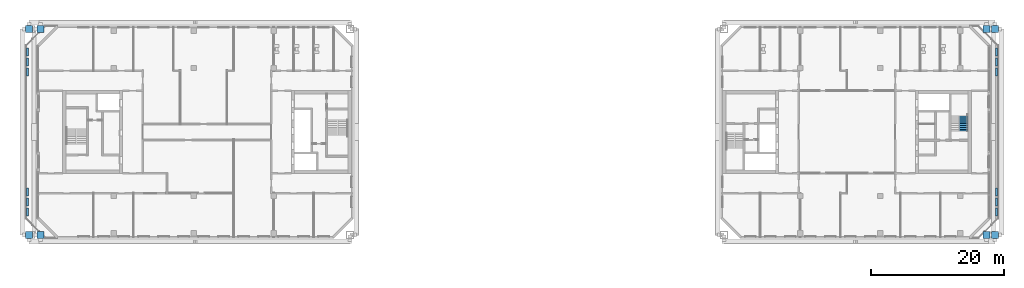
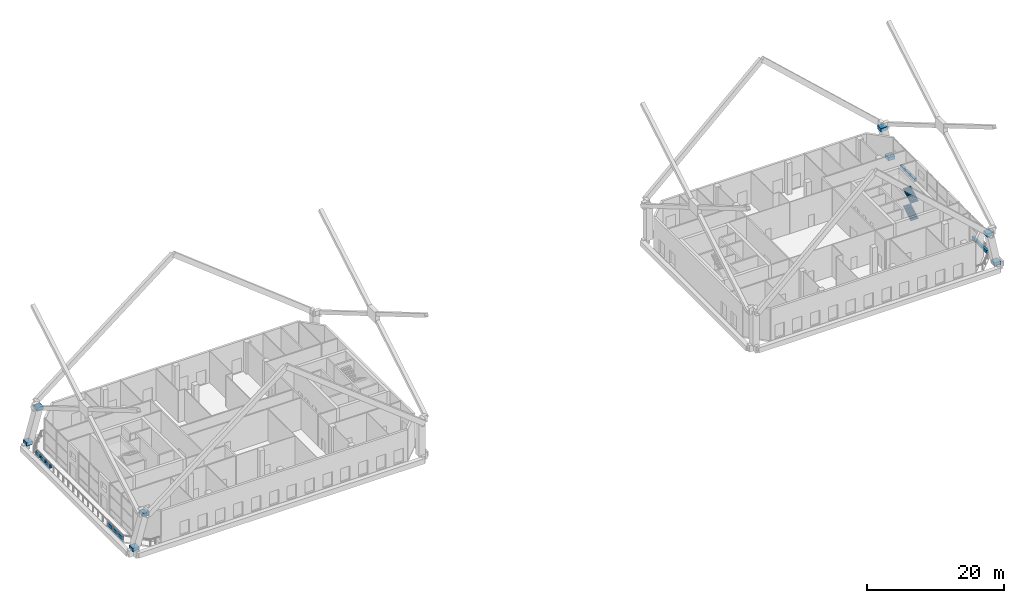
# One storey, part 17 of 20: 20 discrete accessories, 2 stair flights, 1 element without a shape of its own.
"""IFC4 building model written with IfcOpenShell, lengths in metres."""

from ifc_helpers import new_model, si_unit, direction, frame, origin, origin_2d, place, context, subcontext, project, spatial, polyline, rectangle, outline, extrude, material, type_object, element, aggregate, save


model = new_model("IFC4")

# Units and contexts
model_context = context("Model", 3, precision=1e-05, world=origin(), true_north=direction((0.0, 1.0)))
body_context = subcontext(model_context, "Body", "Model", "MODEL_VIEW")
ifc_project = project(units=[si_unit("LENGTHUNIT", "METRE"), si_unit("AREAUNIT", "SQUARE_METRE"), si_unit("VOLUMEUNIT", "CUBIC_METRE"), si_unit("PLANEANGLEUNIT", "RADIAN"), si_unit("MASSUNIT", "GRAM", prefix="KILO")], contexts=[model_context])

# Site, building, storey
site_placement = place(None, origin())
site = spatial("IfcSite", under=ifc_project, at=site_placement, CompositionType="ELEMENT")
building_placement = place(site_placement, origin())
building = spatial("IfcBuilding", under=site, at=building_placement, Name="Tuart Gate Housing", CompositionType="ELEMENT")
storey_placement = place(building_placement, frame((0.0, 0.0, 142.300048828125)))
storey = spatial("IfcBuildingStorey", under=building, at=storey_placement, Name="L40", CompositionType="ELEMENT", Elevation=142.300048828125)

# Stair, stair flights
ifc_material_1 = material(Name="Concrete C40", Category="concrete")
stair_type = type_object("IfcStairType", Name="Core stair 1250", PredefinedType="HALF_TURN_STAIR", material=ifc_material_1)
stair_placement = place(storey_placement, origin())
stair = element("IfcStair", 1, at=stair_placement, inside=storey, type_object=stair_type, Name="Stair SB2", PredefinedType="HALF_TURN_STAIR")
ifc_material_2 = material(Name="Concrete C40", Category="concrete")
stair_flight_type = type_object("IfcStairFlightType", Name="Stair flight 1250, 9 risers 172 x 280", PredefinedType="STRAIGHT", material=ifc_material_2)
stair_flight_1_placement = place(storey_placement, frame((167.514892578125, 70.125, 0.0), z_axis=(0.0, 0.0, 1.0), x_axis=(0.0, 1.0, 0.0)))
stair_flight_1 = element("IfcStairFlight", 2, at=stair_flight_1_placement, type_object=stair_flight_type, Name="SB2 flight 1", NumberOfRisers=9, NumberOfTreads=8, PredefinedType="STRAIGHT", RiserHeight=0.172222222, TreadLength=0.28, context=body_context, shape_type="SweptSolid", body=[
    extrude(outline(polyline([(0.0, 0.0), (0.0, 0.172119140625), (0.280029296875, 0.172119140625), (0.280029296875, 0.344482421875), (0.56005859375, 0.344482421875), (0.56005859375, 0.5166015625), (0.840087890625, 0.5166015625), (0.840087890625, 0.68896484375), (1.1201171875, 0.68896484375), (1.1201171875, 0.861083984375), (1.39990234375, 0.861083984375), (1.39990234375, 1.033447265625), (1.679931640625, 1.033447265625), (1.679931640625, 1.20556640625), (1.9599609375, 1.20556640625), (1.9599609375, 1.377685546875), (2.239990234375, 1.377685546875), (2.239990234375, 1.550048828125), (2.239990234375, 1.201904296875), (0.2861328125, 0.0), (0.0, 0.0)])), frame((0.0, 0.625, 0.0), z_axis=(0.0, -1.0, 0.0), x_axis=(1.0, 0.0, 0.0)), (0.0, 0.0, 1.0), 1.25),
])
stair_flight_2_placement = place(storey_placement, frame((167.514892578125, 70.125, 3.099853515625), z_axis=(0.0, 0.0, 1.0), x_axis=(0.0, 1.0, 0.0)))
stair_flight_2 = element("IfcStairFlight", 3, at=stair_flight_2_placement, type_object=stair_flight_type, Name="SB2 flight 3", NumberOfRisers=9, NumberOfTreads=8, PredefinedType="STRAIGHT", RiserHeight=0.172222222, TreadLength=0.28, context=body_context, shape_type="SweptSolid", body=[
    extrude(outline(polyline([(0.0, 0.0), (0.0, 0.172119140625), (0.280029296875, 0.172119140625), (0.280029296875, 0.344482421875), (0.56005859375, 0.344482421875), (0.56005859375, 0.5166015625), (0.840087890625, 0.5166015625), (0.840087890625, 0.68896484375), (1.1201171875, 0.68896484375), (1.1201171875, 0.861083984375), (1.39990234375, 0.861083984375), (1.39990234375, 1.033447265625), (1.679931640625, 1.033447265625), (1.679931640625, 1.20556640625), (1.9599609375, 1.20556640625), (1.9599609375, 1.377685546875), (2.239990234375, 1.377685546875), (2.239990234375, 1.550048828125), (2.239990234375, 1.201904296875), (0.2861328125, 0.0), (0.0, 0.0)])), frame((0.0, 0.625, 0.0), z_axis=(0.0, -1.0, 0.0), x_axis=(1.0, 0.0, 0.0)), (0.0, 0.0, 1.0), 1.25),
])
aggregate(stair, [stair_flight_1, stair_flight_2])

# Discrete accessories
ifc_material_3 = material(Name="Brick planter with soil", Category="masonry")
discrete_accessory_type = type_object("IfcDiscreteAccessoryType", Name="PLANTER", PredefinedType="USERDEFINED", material=ifc_material_3)
for number, where, z_axis, x_axis, name in (
    (4, (27.074951171875, 58.0, 0.0), (0.0, 0.0, 1.0), (1.0, 0.0, 0.0), "PLANTER"),
    (5, (27.074951171875, 59.5, 0.0), (0.0, 0.0, 1.0), (1.0, 0.0, 0.0), "PLANTER"),
    (6, (27.074951171875, 61.0, 0.0), (0.0, 0.0, 1.0), (1.0, 0.0, 0.0), "PLANTER"),
    (7, (27.074951171875, 79.0, 0.0), (0.0, 0.0, 1.0), (1.0, 0.0, 0.0), "PLANTER"),
    (8, (27.074951171875, 80.5, 0.0), (0.0, 0.0, 1.0), (1.0, 0.0, 0.0), "PLANTER"),
    (9, (27.074951171875, 82.0, 0.0), (0.0, 0.0, 1.0), (1.0, 0.0, 0.0), "PLANTER"),
    (10, (172.425048828125, 58.0, 0.0), (0.0, 0.0, 1.0), (1.0, 0.0, 0.0), "PLANTER"),
    (11, (172.425048828125, 59.5, 0.0), (0.0, 0.0, 1.0), (1.0, 0.0, 0.0), "PLANTER"),
    (12, (172.425048828125, 61.0, 0.0), (0.0, 0.0, 1.0), (1.0, 0.0, 0.0), "PLANTER"),
    (13, (172.425048828125, 79.0, 0.0), (0.0, 0.0, 1.0), (1.0, 0.0, 0.0), "PLANTER"),
    (14, (172.425048828125, 80.5, 0.0), (0.0, 0.0, 1.0), (1.0, 0.0, 0.0), "PLANTER"),
    (15, (172.425048828125, 82.0, 0.0), (0.0, 0.0, 1.0), (1.0, 0.0, 0.0), "PLANTER"),
):
    element("IfcDiscreteAccessory", number, at=place(storey_placement, frame(where, z_axis=z_axis, x_axis=x_axis)), inside=storey, type_object=discrete_accessory_type, Name=name, ObjectType="PLANTER", PredefinedType="USERDEFINED", context=body_context, shape_type="SweptSolid", body=[
        extrude(rectangle(XDim=0.35009765625, YDim=1.199951171875, at=origin_2d()), origin(), (0.0, 0.0, 1.0), 0.60009765625),
    ])
for number, where, z_axis, x_axis, name in (
    (16, (27.300048828125, 54.550048828125, 0.0), (0.0, 0.0, 1.0), (1.0, 0.0, 0.0), "Mega column node A south-west foot L40"),
    (17, (29.050048828125, 54.550048828125, 5.599853515625), (0.0, 0.0, 1.0), (1.0, 0.0, 0.0), "Mega column node A south-west head L40"),
    (18, (27.300048828125, 85.449951171875, 0.0), (0.0, 0.0, 1.0), (1.0, 0.0, 0.0), "Mega column node A north-west foot L40"),
    (19, (29.050048828125, 85.449951171875, 5.599853515625), (0.0, 0.0, 1.0), (1.0, 0.0, 0.0), "Mega column node A north-west head L40"),
    (20, (172.199951171875, 54.550048828125, 0.0), (0.0, 0.0, 1.0), (1.0, 0.0, 0.0), "Mega column node B south-east foot L40"),
    (21, (170.949951171875, 54.550048828125, 5.599853515625), (0.0, 0.0, 1.0), (1.0, 0.0, 0.0), "Mega column node B south-east head L40"),
    (22, (172.199951171875, 85.449951171875, 0.0), (0.0, 0.0, 1.0), (1.0, 0.0, 0.0), "Mega column node B north-east foot L40"),
    (23, (170.949951171875, 85.449951171875, 5.599853515625), (0.0, 0.0, 1.0), (1.0, 0.0, 0.0), "Mega column node B north-east head L40"),
):
    element("IfcDiscreteAccessory", number, at=place(storey_placement, frame(where, z_axis=z_axis, x_axis=x_axis)), inside=storey, Name=name, ObjectType="Mega column node", PredefinedType="USERDEFINED", context=body_context, shape_type="SweptSolid", body=[
        extrude(rectangle(XDim=1.055908203125, YDim=1.055908203125, at=origin_2d()), origin(), (0.0, 0.0, 1.0), 0.60009765625),
    ])

save(model, "model.ifc")
